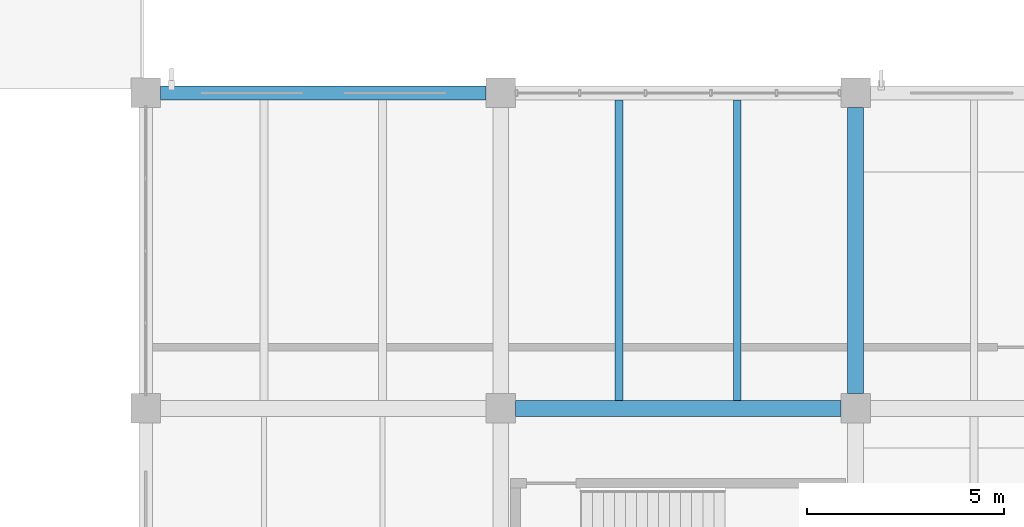
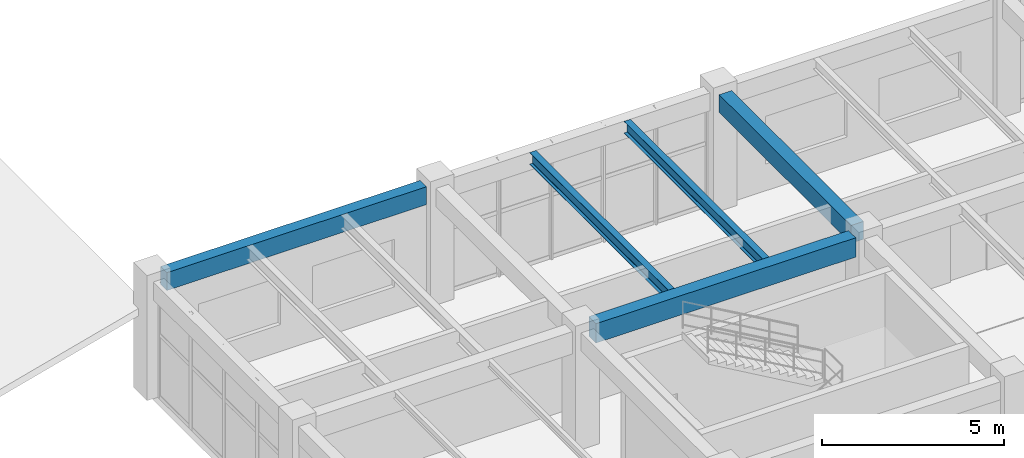
# One storey, part 44 of 148: 5 beams.
"""IFC4 building model written with IfcOpenShell, lengths in metres."""

from ifc_helpers import new_model, si_unit, derived_unit, direction, frame, origin, origin_2d, place, context, subcontext, project, spatial, rectangle, i_section, extrude, material, material_profile, profile_set, type_object, element, save


model = new_model("IFC4")

# Units and contexts
model_context = context("Model", 3, precision=1e-05, world=origin(), true_north=direction((0.0, 1.0)))
body_context = subcontext(model_context, "Body", "Model", "MODEL_VIEW")
ifc_project = project(units=[si_unit("LENGTHUNIT", "METRE"), si_unit("AREAUNIT", "SQUARE_METRE"), si_unit("VOLUMEUNIT", "CUBIC_METRE"), si_unit("PLANEANGLEUNIT", "RADIAN"), si_unit("MASSUNIT", "GRAM", prefix="KILO"), derived_unit("THERMALTRANSMITTANCEUNIT", [(si_unit("MASSUNIT", "GRAM", prefix="KILO"), 1), (si_unit("TIMEUNIT", "SECOND"), -3), (si_unit("THERMODYNAMICTEMPERATUREUNIT", "KELVIN"), -1)])], contexts=[model_context])

# Site, building, storey
site_placement = place(None, origin())
site = spatial("IfcSite", under=ifc_project, at=site_placement, CompositionType="ELEMENT")
building_placement = place(site_placement, origin())
building = spatial("IfcBuilding", under=site, at=building_placement, Name="Zhenchuan Archway Interchange", CompositionType="ELEMENT")
storey_placement = place(building_placement, frame((0.0, 0.0, 10.199951171875)))
storey = spatial("IfcBuildingStorey", under=building, at=storey_placement, Name="L02", CompositionType="ELEMENT", Elevation=10.199951171875)

# Beams
ifc_material_1 = material(Name="Concrete C40", Category="concrete")
ifc_material_profile_1 = material_profile(ifc_material_1, rectangle(XDim=0.39990234375, YDim=0.60009765625, at=origin_2d()), Name="RC 400x600")
ifc_profile_set_1 = profile_set([ifc_material_profile_1], Name="Concrete C40")
beam_type_1 = type_object("IfcBeamType", Name="BM_RC_400x600", PredefinedType="BEAM", material=ifc_profile_set_1)
beam_1_placement = place(storey_placement, frame((126.0, 16.375, 3.6201171875), z_axis=(0.0, 1.0, 0.0), x_axis=(-1.0, 0.0, 0.0)))
element("IfcBeam", 1, at=beam_1_placement, inside=storey, type_object=beam_type_1, Name="Beam 15:C-D (L02)", PredefinedType="BEAM", context=body_context, shape_type="SweptSolid", body=[
    extrude(rectangle(XDim=0.39990234375, YDim=0.60009765625, at=origin_2d()), origin(), (0.0, 0.0, 1.0), 7.25),
])
ifc_material_profile_2 = material_profile(ifc_material_1, rectangle(XDim=0.39990234375, YDim=0.64990234375, at=origin_2d()), Name="RC 400x650")
ifc_profile_set_2 = profile_set([ifc_material_profile_2], Name="Concrete C40")
beam_type_2 = type_object("IfcBeamType", Name="BM_RC_400x650", PredefinedType="BEAM", material=ifc_profile_set_2)
beam_2_placement = place(storey_placement, frame((117.375, 16.0, 3.594970703125), z_axis=(1.0, 0.0, 0.0), x_axis=(0.0, 1.0, 0.0)))
element("IfcBeam", 2, at=beam_2_placement, inside=storey, type_object=beam_type_2, Name="Beam C:14-15 (L02)", PredefinedType="BEAM", context=body_context, shape_type="SweptSolid", body=[
    extrude(rectangle(XDim=0.39990234375, YDim=0.64990234375, at=origin_2d()), origin(), (0.0, 0.0, 1.0), 8.25),
])
ifc_material_2 = material(Name="Steel Q355", Category="steel")
ifc_material_profile_3 = material_profile(ifc_material_2, i_section(OverallWidth=0.199951171875, OverallDepth=0.39990234375, WebThickness=0.008056640625, FlangeThickness=0.012939453125, FilletRadius=0.01611328125, at=origin_2d()), Name="HN 400x200")
ifc_profile_set_3 = profile_set([ifc_material_profile_3], Name="Steel Q355")
beam_type_3 = type_object("IfcBeamType", Name="JST_STL_HN400", PredefinedType="JOIST", material=ifc_profile_set_3)
for number, where, z_axis, x_axis, name in (
    (3, (120.0, 16.199951171875, 3.719970703125), (0.0, 1.0, 0.0), (-1.0, 0.0, 0.0), "Secondary joist 14-15/C-D #1 (L02)"),
    (4, (123.0, 16.199951171875, 3.719970703125), (0.0, 1.0, 0.0), (-1.0, 0.0, 0.0), "Secondary joist 14-15/C-D #2 (L02)"),
):
    element("IfcBeam", number, at=place(storey_placement, frame(where, z_axis=z_axis, x_axis=x_axis)), inside=storey, type_object=beam_type_3, Name=name, PredefinedType="JOIST", context=body_context, shape_type="SweptSolid", body=[
        extrude(i_section(OverallWidth=0.199951171875, OverallDepth=0.39990234375, WebThickness=0.008056640625, FlangeThickness=0.012939453125, FilletRadius=0.01611328125, at=origin_2d()), origin(), (0.0, 0.0, 1.0), 7.625),
    ])
ifc_material_profile_4 = material_profile(ifc_material_1, rectangle(XDim=0.35009765625, YDim=0.60009765625, at=origin_2d()), Name="RC 350x600")
ifc_profile_set_4 = profile_set([ifc_material_profile_4], Name="Concrete C40")
beam_type_4 = type_object("IfcBeamType", Name="SP_RC_350x600", PredefinedType="SPANDREL", material=ifc_profile_set_4)
beam_3_placement = place(storey_placement, frame((108.375, 24.0, 3.6201171875), z_axis=(1.0, 0.0, 0.0), x_axis=(0.0, 1.0, 0.0)))
element("IfcBeam", 5, at=beam_3_placement, inside=storey, type_object=beam_type_4, Name="Beam D:13-14 (L02)", PredefinedType="SPANDREL", context=body_context, shape_type="SweptSolid", body=[
    extrude(rectangle(XDim=0.35009765625, YDim=0.60009765625, at=origin_2d()), origin(), (0.0, 0.0, 1.0), 8.25),
])

save(model, "model.ifc")
